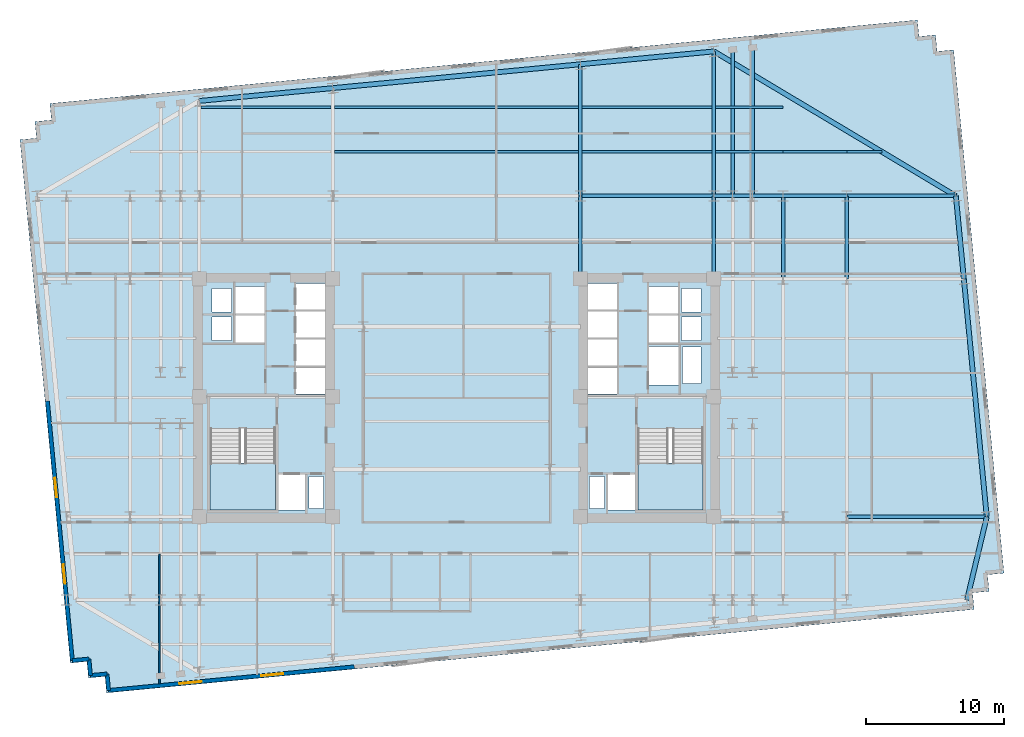
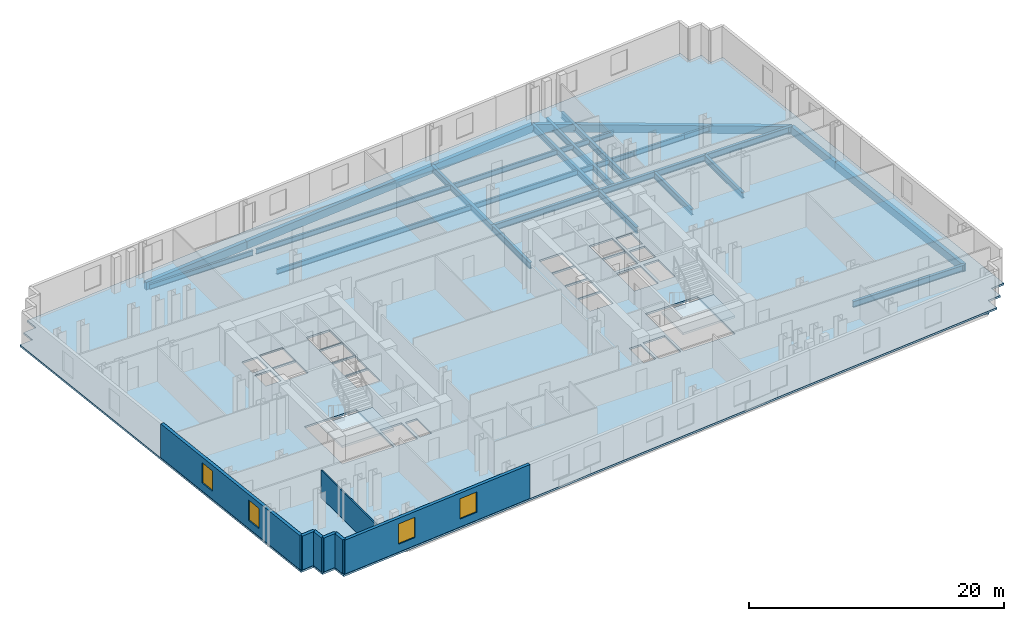
# One storey, part 3 of 10: 29 beams, 7 walls, 4 windows, 3 slabs, 4 openings, 2 elements without a shape of their own.
"""IFC4 building model written with IfcOpenShell, lengths in metres."""

from ifc_helpers import new_model, si_unit, direction, frame, frame_2d, origin, origin_2d, place, context, subcontext, project, spatial, polyline, rectangle, i_section, outline, extrude, material, layer, layer_set, material_profile, profile_set, type_object, element, fill, aggregate, save


model = new_model("IFC4")

# Units and contexts
model_context = context("Model", 3, precision=1e-05, world=origin(), true_north=direction((0.0, 1.0)))
body_context = subcontext(model_context, "Body", "Model", "MODEL_VIEW")
ifc_project = project(units=[si_unit("LENGTHUNIT", "METRE"), si_unit("AREAUNIT", "SQUARE_METRE"), si_unit("VOLUMEUNIT", "CUBIC_METRE"), si_unit("PLANEANGLEUNIT", "RADIAN"), si_unit("MASSUNIT", "GRAM", prefix="KILO")], contexts=[model_context])

# Site, building, storey
site_placement = place(None, origin())
site = spatial("IfcSite", under=ifc_project, at=site_placement, CompositionType="ELEMENT")
building_placement = place(site_placement, origin())
building = spatial("IfcBuilding", under=site, at=building_placement, Name="Velakula Bourse", CompositionType="ELEMENT")
storey_placement = place(building_placement, frame((0.0, 0.0, 98.35009765625)))
storey = spatial("IfcBuildingStorey", under=building, at=storey_placement, Name="L26", CompositionType="ELEMENT", Elevation=98.35009765625)

# Beams
ifc_material_1 = material(Name="Steel IS 2062 Grade 350 (E350)", Category="steel")
ifc_material_profile_1 = material_profile(ifc_material_1, i_section(OverallWidth=0.25, OverallDepth=0.60009765625, WebThickness=0.01171875, FlangeThickness=0.023681640625, at=origin_2d()), Name="Steel IS 2062 Grade 350 (E350)")
ifc_profile_set_1 = profile_set([ifc_material_profile_1], Name="Steel IS 2062 Grade 350 (E350)")
beam_type_1 = type_object("IfcBeamType", Name="BM-GRD-600H", PredefinedType="BEAM", material=ifc_profile_set_1)
for number, where, z_axis, x_axis, name in (
    (1, (8.949951171875, 8.60009765625, -0.47998046875), (0.0, 1.0, 0.0), (-1.0, 0.0, 0.0), "L26 Fulcrum Grid Girder FLC-ECN"),
    (2, (18.60009765625, 8.60009765625, -0.47998046875), (0.0, 1.0, 0.0), (-1.0, 0.0, 0.0), "L26 Fulcrum Grid Girder FLC-EN"),
):
    element("IfcBeam", number, at=place(storey_placement, frame(where, z_axis=z_axis, x_axis=x_axis)), inside=storey, type_object=beam_type_1, Name=name, PredefinedType="BEAM", context=body_context, shape_type="SweptSolid", body=[
        extrude(i_section(OverallWidth=0.25, OverallDepth=0.60009765625, WebThickness=0.01171875, FlangeThickness=0.023681640625, at=origin_2d()), origin(), (0.0, 0.0, 1.0), 6.0),
    ])
beam_1_placement = place(storey_placement, frame((8.949951171875, 14.60009765625, -0.47998046875), z_axis=(1.0, 0.0, 0.0), x_axis=(0.0, 1.0, 0.0)))
element("IfcBeam", 3, at=beam_1_placement, inside=storey, type_object=beam_type_1, Name="L26 Fulcrum Grid Girder FLC-N3", PredefinedType="BEAM", context=body_context, shape_type="SweptSolid", body=[
    extrude(i_section(OverallWidth=0.25, OverallDepth=0.60009765625, WebThickness=0.01171875, FlangeThickness=0.023681640625, at=origin_2d()), origin(), (0.0, 0.0, 1.0), 9.650146484375),
])
beam_2_placement = place(storey_placement, frame((18.60009765625, 14.60009765625, -0.47998046875), z_axis=(1.0, 0.0, 0.0), x_axis=(0.0, 1.0, 0.0)))
element("IfcBeam", 4, at=beam_2_placement, inside=storey, type_object=beam_type_1, Name="L26 Fulcrum Grid Girder MWG-EN2", PredefinedType="BEAM", context=body_context, shape_type="SweptSolid", body=[
    extrude(i_section(OverallWidth=0.25, OverallDepth=0.60009765625, WebThickness=0.01171875, FlangeThickness=0.023681640625, at=origin_2d()), origin(), (0.0, 0.0, 1.0), 5.0),
])
beam_3_placement = place(storey_placement, frame((23.60009765625, 8.60009765625, -0.47998046875), z_axis=(0.0, 1.0, 0.0), x_axis=(-1.0, 0.0, 0.0)))
element("IfcBeam", 5, at=beam_3_placement, inside=storey, type_object=beam_type_1, Name="L26 Fulcrum Grid Girder MWG-ENS3", PredefinedType="BEAM", context=body_context, shape_type="SweptSolid", body=[
    extrude(i_section(OverallWidth=0.25, OverallDepth=0.60009765625, WebThickness=0.01171875, FlangeThickness=0.023681640625, at=origin_2d()), origin(), (0.0, 0.0, 1.0), 6.0),
])
beam_4_placement = place(storey_placement, frame((23.60009765625, 14.60009765625, -0.47998046875), z_axis=(1.0, 0.0, 0.0), x_axis=(0.0, 1.0, 0.0)))
element("IfcBeam", 6, at=beam_4_placement, inside=storey, type_object=beam_type_1, Name="L26 Fulcrum Grid Girder WNG-EN2", PredefinedType="BEAM", context=body_context, shape_type="SweptSolid", body=[
    extrude(i_section(OverallWidth=0.25, OverallDepth=0.60009765625, WebThickness=0.01171875, FlangeThickness=0.023681640625, at=origin_2d()), origin(), (0.0, 0.0, 1.0), 4.599853515625),
])
beam_5_placement = place(storey_placement, frame((28.199951171875, 8.60009765625, -0.47998046875), z_axis=(0.0, 1.0, 0.0), x_axis=(-1.0, 0.0, 0.0)))
element("IfcBeam", 7, at=beam_5_placement, inside=storey, type_object=beam_type_1, Name="L26 Fulcrum Grid Girder WNG-ENS3", PredefinedType="BEAM", context=body_context, shape_type="SweptSolid", body=[
    extrude(i_section(OverallWidth=0.25, OverallDepth=0.60009765625, WebThickness=0.01171875, FlangeThickness=0.023681640625, at=origin_2d()), origin(), (0.0, 0.0, 1.0), 6.0),
])
beam_6_placement = place(storey_placement, frame((8.949951171875, 14.60009765625, -0.47998046875), z_axis=(0.0, 1.0, 0.0), x_axis=(-1.0, 0.0, 0.0)))
element("IfcBeam", 8, at=beam_6_placement, inside=storey, type_object=beam_type_1, Name="L26 Perimeter Tie Girder N3", PredefinedType="BEAM", context=body_context, shape_type="SweptSolid", body=[
    extrude(i_section(OverallWidth=0.25, OverallDepth=0.60009765625, WebThickness=0.01171875, FlangeThickness=0.023681640625, at=origin_2d()), origin(), (0.0, 0.0, 1.0), 9.521484375),
])
beam_7_placement = place(storey_placement, frame((18.60009765625, 14.60009765625, -0.47998046875), z_axis=(0.0, 1.0, 0.0), x_axis=(-1.0, 0.0, 0.0)))
element("IfcBeam", 9, at=beam_7_placement, inside=storey, type_object=beam_type_1, Name="L26 Perimeter Tie Girder N4", PredefinedType="BEAM", context=body_context, shape_type="SweptSolid", body=[
    extrude(i_section(OverallWidth=0.25, OverallDepth=0.60009765625, WebThickness=0.01171875, FlangeThickness=0.023681640625, at=origin_2d()), origin(), (0.0, 0.0, 1.0), 10.45068359375),
])
beam_8_placement = place(storey_placement, frame((28.199951171875, -8.60009765625, -0.47998046875), z_axis=(1.0, 0.0, 0.0), x_axis=(0.0, 1.0, 0.0)))
element("IfcBeam", 10, at=beam_8_placement, inside=storey, type_object=beam_type_1, Name="L26 Perimeter Tie Girder E2", PredefinedType="BEAM", context=body_context, shape_type="SweptSolid", body=[
    extrude(i_section(OverallWidth=0.25, OverallDepth=0.60009765625, WebThickness=0.01171875, FlangeThickness=0.023681640625, at=origin_2d()), origin(), (0.0, 0.0, 1.0), 10.119873046875),
])
beam_9_placement = place(storey_placement, frame((28.199951171875, 14.60009765625, -0.47998046875), z_axis=(1.0, 0.0, 0.0), x_axis=(0.0, 1.0, 0.0)))
element("IfcBeam", 11, at=beam_9_placement, inside=storey, type_object=beam_type_1, Name="L26 Perimeter Tie Girder E4", PredefinedType="BEAM", context=body_context, shape_type="SweptSolid", body=[
    extrude(i_section(OverallWidth=0.25, OverallDepth=0.60009765625, WebThickness=0.01171875, FlangeThickness=0.023681640625, at=origin_2d()), origin(), (0.0, 0.0, 1.0), 7.885986328125),
])
beam_10_placement = place(storey_placement, frame((19.949951171875, 14.60009765625, -0.47998046875), z_axis=(0.0, 1.0, 0.0), x_axis=(-1.0, 0.0, 0.0)))
element("IfcBeam", 12, at=beam_10_placement, inside=storey, type_object=beam_type_1, Name="L26 Perimeter Tie Girder P07", PredefinedType="BEAM", context=body_context, shape_type="SweptSolid", body=[
    extrude(i_section(OverallWidth=0.25, OverallDepth=0.60009765625, WebThickness=0.01171875, FlangeThickness=0.023681640625, at=origin_2d()), origin(), (0.0, 0.0, 1.0), 10.580810546875),
])
beam_11_placement = place(storey_placement, frame((21.39990234375, 14.60009765625, -0.47998046875), z_axis=(0.0, 1.0, 0.0), x_axis=(-1.0, 0.0, 0.0)))
element("IfcBeam", 13, at=beam_11_placement, inside=storey, type_object=beam_type_1, Name="L26 Perimeter Tie Girder P08", PredefinedType="BEAM", context=body_context, shape_type="SweptSolid", body=[
    extrude(i_section(OverallWidth=0.25, OverallDepth=0.60009765625, WebThickness=0.01171875, FlangeThickness=0.023681640625, at=origin_2d()), origin(), (0.0, 0.0, 1.0), 10.720458984375),
])
ifc_material_profile_2 = material_profile(ifc_material_1, i_section(OverallWidth=0.179931640625, OverallDepth=0.5, WebThickness=0.01025390625, FlangeThickness=0.01708984375, at=origin_2d()), Name="Steel IS 2062 Grade 350 (E350)")
ifc_profile_set_2 = profile_set([ifc_material_profile_2], Name="Steel IS 2062 Grade 350 (E350)")
beam_type_2 = type_object("IfcBeamType", Name="JST-TWR-500", PredefinedType="JOIST", material=ifc_profile_set_2)
beam_12_placement = place(storey_placement, frame((-8.824951171875, 17.800048828125, -0.43017578125), z_axis=(1.0, 0.0, 0.0), x_axis=(0.0, 1.0, 0.0)))
element("IfcBeam", 14, at=beam_12_placement, inside=storey, type_object=beam_type_2, Name="L26 Trading Floor Composite Joist 22", PredefinedType="JOIST", context=body_context, shape_type="SweptSolid", body=[
    extrude(i_section(OverallWidth=0.179931640625, OverallDepth=0.5, WebThickness=0.01025390625, FlangeThickness=0.01708984375, at=origin_2d()), origin(), (0.0, 0.0, 1.0), 17.64990234375),
])
beam_13_placement = place(storey_placement, frame((9.074951171875, 17.800048828125, -0.43017578125), z_axis=(1.0, 0.0, 0.0), x_axis=(0.0, 1.0, 0.0)))
element("IfcBeam", 15, at=beam_13_placement, inside=storey, type_object=beam_type_2, Name="L26 Trading Floor Composite Joist 23", PredefinedType="JOIST", context=body_context, shape_type="SweptSolid", body=[
    extrude(i_section(OverallWidth=0.179931640625, OverallDepth=0.5, WebThickness=0.01025390625, FlangeThickness=0.01708984375, at=origin_2d()), origin(), (0.0, 0.0, 1.0), 9.400146484375),
])
beam_14_placement = place(storey_placement, frame((18.72509765625, 17.800048828125, -0.43017578125), z_axis=(1.0, 0.0, 0.0), x_axis=(0.0, 1.0, 0.0)))
element("IfcBeam", 16, at=beam_14_placement, inside=storey, type_object=beam_type_2, Name="L26 Trading Floor Composite Joist 24", PredefinedType="JOIST", context=body_context, shape_type="SweptSolid", body=[
    extrude(i_section(OverallWidth=0.179931640625, OverallDepth=0.5, WebThickness=0.01025390625, FlangeThickness=0.01708984375, at=origin_2d()), origin(), (0.0, 0.0, 1.0), 4.875),
])
beam_15_placement = place(storey_placement, frame((23.60009765625, 17.800048828125, -0.43017578125), z_axis=(1.0, 0.0, 0.0), x_axis=(0.0, 1.0, 0.0)))
element("IfcBeam", 17, at=beam_15_placement, inside=storey, type_object=beam_type_2, Name="L26 Trading Floor Composite Joist 25", PredefinedType="JOIST", context=body_context, shape_type="SweptSolid", body=[
    extrude(i_section(OverallWidth=0.179931640625, OverallDepth=0.5, WebThickness=0.01025390625, FlangeThickness=0.01708984375, at=origin_2d()), origin(), (0.0, 0.0, 1.0), 4.599853515625),
])
beam_16_placement = place(storey_placement, frame((28.199951171875, 17.800048828125, -0.43017578125), z_axis=(1.0, 0.0, 0.0), x_axis=(0.0, 1.0, 0.0)))
element("IfcBeam", 18, at=beam_16_placement, inside=storey, type_object=beam_type_2, Name="L26 Trading Floor Composite Joist 26", PredefinedType="JOIST", context=body_context, shape_type="SweptSolid", body=[
    extrude(i_section(OverallWidth=0.179931640625, OverallDepth=0.5, WebThickness=0.01025390625, FlangeThickness=0.01708984375, at=origin_2d()), origin(), (0.0, 0.0, 1.0), 2.53173828125),
])
beam_17_placement = place(storey_placement, frame((-18.47509765625, 21.0, -0.43017578125), z_axis=(1.0, 0.0, 0.0), x_axis=(0.0, 1.0, 0.0)))
element("IfcBeam", 19, at=beam_17_placement, inside=storey, type_object=beam_type_2, Name="L26 Trading Floor Composite Joist 27", PredefinedType="JOIST", context=body_context, shape_type="SweptSolid", body=[
    extrude(i_section(OverallWidth=0.179931640625, OverallDepth=0.5, WebThickness=0.01025390625, FlangeThickness=0.01708984375, at=origin_2d()), origin(), (0.0, 0.0, 1.0), 9.400146484375),
])
beam_18_placement = place(storey_placement, frame((-8.824951171875, 21.0, -0.43017578125), z_axis=(1.0, 0.0, 0.0), x_axis=(0.0, 1.0, 0.0)))
element("IfcBeam", 20, at=beam_18_placement, inside=storey, type_object=beam_type_2, Name="L26 Trading Floor Composite Joist 28", PredefinedType="JOIST", context=body_context, shape_type="SweptSolid", body=[
    extrude(i_section(OverallWidth=0.179931640625, OverallDepth=0.5, WebThickness=0.01025390625, FlangeThickness=0.01708984375, at=origin_2d()), origin(), (0.0, 0.0, 1.0), 17.64990234375),
])
beam_19_placement = place(storey_placement, frame((9.074951171875, 21.0, -0.43017578125), z_axis=(1.0, 0.0, 0.0), x_axis=(0.0, 1.0, 0.0)))
element("IfcBeam", 21, at=beam_19_placement, inside=storey, type_object=beam_type_2, Name="L26 Trading Floor Composite Joist 29", PredefinedType="JOIST", context=body_context, shape_type="SweptSolid", body=[
    extrude(i_section(OverallWidth=0.179931640625, OverallDepth=0.5, WebThickness=0.01025390625, FlangeThickness=0.01708984375, at=origin_2d()), origin(), (0.0, 0.0, 1.0), 9.400146484375),
])
beam_20_placement = place(storey_placement, frame((18.72509765625, 21.0, -0.43017578125), z_axis=(1.0, 0.0, 0.0), x_axis=(0.0, 1.0, 0.0)))
element("IfcBeam", 22, at=beam_20_placement, inside=storey, type_object=beam_type_2, Name="L26 Trading Floor Composite Joist 30", PredefinedType="JOIST", context=body_context, shape_type="SweptSolid", body=[
    extrude(i_section(OverallWidth=0.179931640625, OverallDepth=0.5, WebThickness=0.01025390625, FlangeThickness=0.01708984375, at=origin_2d()), origin(), (0.0, 0.0, 1.0), 4.875),
])
ifc_material_2 = material(Name="Precast concrete M45 (fck 45 MPa)", Category="concrete")
ifc_material_profile_3 = material_profile(ifc_material_2, rectangle(XDim=0.35009765625, YDim=0.75, at=origin_2d()), Name="Precast concrete M45 (fck 45 MPa)")
ifc_profile_set_3 = profile_set([ifc_material_profile_3], Name="Precast concrete M45 (fck 45 MPa)")
beam_type_3 = type_object("IfcBeamType", Name="SPN-BRICK-750", PredefinedType="SPANDREL", material=ifc_profile_set_3)
beam_21_placement = place(storey_placement, frame((-18.60009765625, 21.468994140625, -0.55517578125), z_axis=(0.99539623971, 0.095845323155, 0.0), x_axis=(-0.095845323155, 0.99539623971, 0.0)))
element("IfcBeam", 23, at=beam_21_placement, inside=storey, type_object=beam_type_3, Name="L26 Brick-Faced Precast Spandrel N1-N2", PredefinedType="SPANDREL", context=body_context, shape_type="SweptSolid", body=[
    extrude(rectangle(XDim=0.35009765625, YDim=0.75, at=origin_2d()), origin(), (0.0, 0.0, 1.0), 9.69482421875),
])
beam_22_placement = place(storey_placement, frame((-8.949951171875, 22.398193359375, -0.55517578125), z_axis=(0.995397131467, 0.095836061418, 0.0), x_axis=(-0.095836061418, 0.995397131467, 0.0)))
element("IfcBeam", 24, at=beam_22_placement, inside=storey, type_object=beam_type_3, Name="L26 Brick-Faced Precast Spandrel N2-N3", PredefinedType="SPANDREL", context=body_context, shape_type="SweptSolid", body=[
    extrude(rectangle(XDim=0.35009765625, YDim=0.75, at=origin_2d()), origin(), (0.0, 0.0, 1.0), 17.982666015625),
])
beam_23_placement = place(storey_placement, frame((8.949951171875, 24.12158203125, -0.55517578125), z_axis=(0.99539623971, 0.095845323155, 0.0), x_axis=(-0.095845323155, 0.99539623971, 0.0)))
element("IfcBeam", 25, at=beam_23_placement, inside=storey, type_object=beam_type_3, Name="L26 Brick-Faced Precast Spandrel N3-N4", PredefinedType="SPANDREL", context=body_context, shape_type="SweptSolid", body=[
    extrude(rectangle(XDim=0.35009765625, YDim=0.75, at=origin_2d()), origin(), (0.0, 0.0, 1.0), 9.69482421875),
])
beam_24_placement = place(storey_placement, frame((36.88818359375, -14.60009765625, -0.55517578125), z_axis=(0.232091371601, 0.972693988482, 0.0), x_axis=(-0.972693988482, 0.232091371601, 0.0)))
element("IfcBeam", 26, at=beam_24_placement, inside=storey, type_object=beam_type_3, Name="L26 Brick-Faced Precast Spandrel E1-E2", PredefinedType="SPANDREL", context=body_context, shape_type="SweptSolid", body=[
    extrude(rectangle(XDim=0.35009765625, YDim=0.75, at=origin_2d()), origin(), (0.0, 0.0, 1.0), 6.16845703125),
])
beam_25_placement = place(storey_placement, frame((38.31982421875, -8.60009765625, -0.55517578125), z_axis=(-0.095849167925, 0.995395869495, 0.0), x_axis=(-0.995395869495, -0.095849167925, 0.0)))
element("IfcBeam", 27, at=beam_25_placement, inside=storey, type_object=beam_type_3, Name="L26 Brick-Faced Precast Spandrel E2-E3", PredefinedType="SPANDREL", context=body_context, shape_type="SweptSolid", body=[
    extrude(rectangle(XDim=0.35009765625, YDim=0.75, at=origin_2d()), origin(), (0.0, 0.0, 1.0), 17.27978515625),
])
beam_26_placement = place(storey_placement, frame((36.66357421875, 8.60009765625, -0.55517578125), z_axis=(-0.095829714309, 0.995397742541, 0.0), x_axis=(-0.995397742541, -0.095829714309, 0.0)))
element("IfcBeam", 28, at=beam_26_placement, inside=storey, type_object=beam_type_3, Name="L26 Brick-Faced Precast Spandrel E3-E4", PredefinedType="SPANDREL", context=body_context, shape_type="SweptSolid", body=[
    extrude(rectangle(XDim=0.35009765625, YDim=0.75, at=origin_2d()), origin(), (0.0, 0.0, 1.0), 6.02783203125),
])
beam_27_placement = place(storey_placement, frame((36.0859375, 14.60009765625, -0.55517578125), z_axis=(-0.858375715449, 0.513021569846, 0.0), x_axis=(-0.513021569846, -0.858375715449, 0.0)))
element("IfcBeam", 29, at=beam_27_placement, inside=storey, type_object=beam_type_3, Name="L26 Brick-Faced Precast Spandrel E4-N4", PredefinedType="SPANDREL", context=body_context, shape_type="SweptSolid", body=[
    extrude(rectangle(XDim=0.35009765625, YDim=0.75, at=origin_2d()), origin(), (0.0, 0.0, 1.0), 20.370849609375),
])

# Stair, slab
ifc_material_3 = material(Name="Concrete M45 (fck 45 MPa)", Category="concrete")
stair_type = type_object("IfcStairType", Name="STR-DOG-390", PredefinedType="HALF_TURN_STAIR", material=ifc_material_3)
stair_1_placement = place(storey_placement, origin())
stair_1 = element("IfcStair", 30, at=stair_1_placement, inside=storey, type_object=stair_type, Name="L26 West Core Exit Stair ST-W1", PredefinedType="HALF_TURN_STAIR")
ifc_layer_1 = layer(ifc_material_3, 0.199951171875, Name="Concrete M45 (fck 45 MPa)", Category="concrete")
ifc_layer_set_1 = layer_set([ifc_layer_1], Name="Concrete M45 (fck 45 MPa)")
slab_type_1 = type_object("IfcSlabType", Name="SLB-STAIR-LND-200", PredefinedType="LANDING", material=ifc_layer_set_1)
slab_1_placement = place(storey_placement, frame((0.0, 0.0, 1.52490234375)))
slab_1 = element("IfcSlab", 31, at=slab_1_placement, type_object=slab_type_1, Name="ST-W1 landing 1", PredefinedType="LANDING", context=body_context, shape_type="SweptSolid", body=[
    extrude(outline(polyline([(-17.820068359375, -4.719970703125), (-17.820068359375, -8.10009765625), (-13.10009765625, -8.10009765625), (-13.10009765625, -4.719970703125), (-17.820068359375, -4.719970703125)])), origin(), (0.0, 0.0, 1.0), 0.199951171875),
])
aggregate(stair_1, [slab_1])

stair_2_placement = place(storey_placement, origin())
stair_2 = element("IfcStair", 32, at=stair_2_placement, inside=storey, type_object=stair_type, Name="L26 East Core Exit Stair ST-E1", PredefinedType="HALF_TURN_STAIR")
slab_2_placement = place(storey_placement, frame((0.0, 0.0, 1.52490234375)))
slab_2 = element("IfcSlab", 33, at=slab_2_placement, type_object=slab_type_1, Name="ST-E1 landing 1", PredefinedType="LANDING", context=body_context, shape_type="SweptSolid", body=[
    extrude(outline(polyline([(13.10009765625, -4.719970703125), (13.10009765625, -8.10009765625), (17.820068359375, -8.10009765625), (17.820068359375, -4.719970703125), (13.10009765625, -4.719970703125)])), origin(), (0.0, 0.0, 1.0), 0.199951171875),
])
aggregate(stair_2, [slab_2])

# Slab
ifc_material_4 = material(Name="Concrete M50 (fck 50 MPa)", Category="concrete")
ifc_layer_2 = layer(ifc_material_4, 0.179931640625, Name="Concrete M50 (fck 50 MPa)", Category="concrete")
ifc_layer_set_2 = layer_set([ifc_layer_2], Name="Concrete M50 (fck 50 MPa)")
slab_type_2 = type_object("IfcSlabType", Name="SLB-TWR-180", PredefinedType="FLOOR", material=ifc_layer_set_2)
slab_3_placement = place(storey_placement, frame((0.0, 0.0, -0.18017578125)))
element("IfcSlab", 34, at=slab_3_placement, inside=storey, type_object=slab_type_2, Name="L26 Suspended Structural Floor Slab", PredefinedType="FLOOR", context=body_context, shape_type="SweptSolid", body=[
    extrude(outline(polyline([(-25.303955078125, -21.320556640625), (37.406005859375, -15.2822265625), (37.291015625, -14.087890625), (38.485595703125, -13.972900390625), (38.37060546875, -12.7783203125), (39.56494140625, -12.663330078125), (35.9228515625, 25.16162109375), (34.728271484375, 25.046630859375), (34.61328125, 26.2412109375), (33.4189453125, 26.126220703125), (33.303955078125, 27.320556640625), (-29.406005859375, 21.2822265625), (-29.291015625, 20.087890625), (-30.485595703125, 19.972900390625), (-30.37060546875, 18.7783203125), (-31.56494140625, 18.663330078125), (-27.9228515625, -19.16162109375), (-26.728271484375, -19.046630859375), (-26.61328125, -20.2412109375), (-25.4189453125, -20.126220703125), (-25.303955078125, -21.320556640625)]), holes=[polyline([(-17.820068359375, -8.10009765625), (-13.10009765625, -8.10009765625), (-13.10009765625, -2.199951171875), (-17.820068359375, -2.199951171875), (-17.820068359375, -8.10009765625)]), polyline([(13.10009765625, -8.10009765625), (17.820068359375, -8.10009765625), (17.820068359375, -2.199951171875), (13.10009765625, -2.199951171875), (13.10009765625, -8.10009765625)]), polyline([(-12.89990234375, -8.10009765625), (-10.949951171875, -8.10009765625), (-10.949951171875, -5.550048828125), (-12.89990234375, -5.550048828125), (-12.89990234375, -8.10009765625)]), polyline([(10.949951171875, -8.10009765625), (12.89990234375, -8.10009765625), (12.89990234375, -5.550048828125), (10.949951171875, -5.550048828125), (10.949951171875, -8.10009765625)]), polyline([(13.89990234375, 0.919921875), (16.050048828125, 0.919921875), (16.050048828125, 3.719970703125), (13.89990234375, 3.719970703125), (13.89990234375, 0.919921875)]), polyline([(-10.679931640625, -7.97998046875), (-9.6201171875, -7.97998046875), (-9.6201171875, -5.669921875), (-10.679931640625, -5.669921875), (-10.679931640625, -7.97998046875)]), polyline([(-17.679931640625, 4.139892578125), (-16.27001953125, 4.139892578125), (-16.27001953125, 5.85009765625), (-17.679931640625, 5.85009765625), (-17.679931640625, 4.139892578125)]), polyline([(-17.679931640625, 6.2099609375), (-16.27001953125, 6.2099609375), (-16.27001953125, 7.919921875), (-17.679931640625, 7.919921875), (-17.679931640625, 6.2099609375)]), polyline([(9.6201171875, -7.97998046875), (10.679931640625, -7.97998046875), (10.679931640625, -5.669921875), (9.6201171875, -5.669921875), (9.6201171875, -7.97998046875)]), polyline([(16.27001953125, 4.139892578125), (17.679931640625, 4.139892578125), (17.679931640625, 5.85009765625), (16.27001953125, 5.85009765625), (16.27001953125, 4.139892578125)]), polyline([(16.27001953125, 6.2099609375), (17.679931640625, 6.2099609375), (17.679931640625, 7.919921875), (16.27001953125, 7.919921875), (16.27001953125, 6.2099609375)]), polyline([(16.320068359375, 1.0400390625), (17.679931640625, 1.0400390625), (17.679931640625, 3.699951171875), (16.320068359375, 3.699951171875), (16.320068359375, 1.0400390625)]), polyline([(-11.60009765625, 0.280029296875), (-9.5, 0.280029296875), (-9.5, 2.199951171875), (-11.60009765625, 2.199951171875), (-11.60009765625, 0.280029296875)]), polyline([(-11.60009765625, 2.31005859375), (-9.5, 2.31005859375), (-9.5, 4.22998046875), (-11.60009765625, 4.22998046875), (-11.60009765625, 2.31005859375)]), polyline([(-11.60009765625, 4.340087890625), (-9.5, 4.340087890625), (-9.5, 6.260009765625), (-11.60009765625, 6.260009765625), (-11.60009765625, 4.340087890625)]), polyline([(-11.60009765625, 6.3701171875), (-9.5, 6.3701171875), (-9.5, 8.2900390625), (-11.60009765625, 8.2900390625), (-11.60009765625, 6.3701171875)]), polyline([(9.5, 0.280029296875), (11.60009765625, 0.280029296875), (11.60009765625, 2.199951171875), (9.5, 2.199951171875), (9.5, 0.280029296875)]), polyline([(9.5, 2.31005859375), (11.60009765625, 2.31005859375), (11.60009765625, 4.22998046875), (9.5, 4.22998046875), (9.5, 2.31005859375)]), polyline([(9.5, 4.340087890625), (11.60009765625, 4.340087890625), (11.60009765625, 6.260009765625), (9.5, 6.260009765625), (9.5, 4.340087890625)]), polyline([(9.5, 6.3701171875), (11.60009765625, 6.3701171875), (11.60009765625, 8.2900390625), (9.5, 8.2900390625), (9.5, 6.3701171875)]), polyline([(-16.0, 4.02001953125), (-13.89990234375, 4.02001953125), (-13.89990234375, 5.969970703125), (-16.0, 5.969970703125), (-16.0, 4.02001953125)]), polyline([(-16.0, 6.090087890625), (-13.89990234375, 6.090087890625), (-13.89990234375, 8.0400390625), (-16.0, 8.0400390625), (-16.0, 6.090087890625)]), polyline([(13.89990234375, 4.02001953125), (16.0, 4.02001953125), (16.0, 5.969970703125), (13.89990234375, 5.969970703125), (13.89990234375, 4.02001953125)]), polyline([(13.89990234375, 6.090087890625), (16.0, 6.090087890625), (16.0, 8.0400390625), (13.89990234375, 8.0400390625), (13.89990234375, 6.090087890625)])]), origin(), (0.0, 0.0, 1.0), 0.18017578125),
])

# Wall, openings, windows
ifc_material_5 = material(Name="Red kilned clay facing brick masonry", Category="masonry")
ifc_layer_3 = layer(ifc_material_5, 0.280029296875, Name="Red kilned clay facing brick masonry", Category="masonry")
ifc_layer_set_3 = layer_set([ifc_layer_3], Name="Red kilned clay facing brick masonry")
wall_type_1 = type_object("IfcWallType", Name="WL-EXT-BRK-280", PredefinedType="STANDARD", material=ifc_layer_set_3)
wall_1_placement = place(storey_placement, frame((-7.402099609375, -19.43603515625, 0.0), z_axis=(0.0, 0.0, 1.0), x_axis=(-0.995395780835, -0.095850088663, 0.0)))
wall_1 = element("IfcWall", 35, at=wall_1_placement, inside=storey, type_object=wall_type_1, Name="L26 S Brick Spandrel Wall B1", PredefinedType="STANDARD", context=body_context, shape_type="SweptSolid", body=[
    extrude(rectangle(XDim=17.83984375, YDim=0.280029296875, at=frame_2d((8.919921875, 0.0))), origin(), (0.0, 0.0, 1.0), 3.25),
])
opening_1_placement = place(wall_1_placement, frame((5.146728515625, 0.0, 0.760009765625)))
opening_1 = element("IfcOpeningElement", 36, at=opening_1_placement, cuts=wall_1, Name="Opening W-02", PredefinedType="OPENING", context=body_context, shape_type="SweptSolid", body=[
    extrude(rectangle(XDim=1.60009765625, YDim=1.949951171875, at=frame_2d((0.800048828125, 0.97509765625))), frame((0.0, 0.14990234375, 0.0), z_axis=(0.0, -1.0, 0.0), x_axis=(1.0, 0.0, 0.0)), (0.0, 0.0, 1.0), 0.300048828125),
])
opening_2_placement = place(wall_1_placement, frame((11.09326171875, 0.0, 0.760009765625)))
opening_2 = element("IfcOpeningElement", 37, at=opening_2_placement, cuts=wall_1, Name="Opening W-02", PredefinedType="OPENING", context=body_context, shape_type="SweptSolid", body=[
    extrude(rectangle(XDim=1.60009765625, YDim=1.949951171875, at=frame_2d((0.800048828125, 0.97509765625))), frame((0.0, 0.14990234375, 0.0), z_axis=(0.0, -1.0, 0.0), x_axis=(1.0, 0.0, 0.0)), (0.0, 0.0, 1.0), 0.300048828125),
])
ifc_material_6 = material(Name="Double-glazed solar-control Low-E glass", Category="glass")
window_type_1 = type_object("IfcWindowType", Name="WIN-TWR-1600x2100", PartitioningType="SINGLE_PANEL", PredefinedType="WINDOW", material=ifc_material_6)
window_1_placement = place(opening_1_placement, origin())
window_1 = element("IfcWindow", 38, at=window_1_placement, inside=storey, type_object=window_type_1, Name="L26 Deep-Set Recessed Window 1", OverallHeight=1.949951171875, OverallWidth=1.60009765625, PartitioningType="SINGLE_PANEL", PredefinedType="WINDOW", context=body_context, shape_type="SweptSolid", body=[
    extrude(rectangle(XDim=1.60009765625, YDim=1.949951171875, at=frame_2d((0.800048828125, 0.97509765625))), frame((0.0, 0.030029296875, 0.0), z_axis=(0.0, -1.0, 0.0), x_axis=(1.0, 0.0, 0.0)), (0.0, 0.0, 1.0), 0.06005859375),
])
fill(opening_1, window_1)
window_2_placement = place(opening_2_placement, origin())
window_2 = element("IfcWindow", 39, at=window_2_placement, inside=storey, type_object=window_type_1, Name="L26 Deep-Set Recessed Window 2", OverallHeight=1.949951171875, OverallWidth=1.60009765625, PartitioningType="SINGLE_PANEL", PredefinedType="WINDOW", context=body_context, shape_type="SweptSolid", body=[
    extrude(rectangle(XDim=1.60009765625, YDim=1.949951171875, at=frame_2d((0.800048828125, 0.97509765625))), frame((0.0, 0.030029296875, 0.0), z_axis=(0.0, -1.0, 0.0), x_axis=(1.0, 0.0, 0.0)), (0.0, 0.0, 1.0), 0.06005859375),
])
fill(opening_2, window_2)

wall_2_placement = place(storey_placement, frame((-27.779052734375, -18.987060546875, 0.0), z_axis=(0.0, 0.0, 1.0), x_axis=(-0.095842534142, 0.995396508256, 0.0)))
wall_2 = element("IfcWall", 40, at=wall_2_placement, inside=storey, type_object=wall_type_1, Name="L26 W Brick End Wall W1", PredefinedType="STANDARD", context=body_context, shape_type="SweptSolid", body=[
    extrude(rectangle(XDim=18.83984375, YDim=0.280029296875, at=frame_2d((9.419921875, 0.0))), origin(), (0.0, 0.0, 1.0), 3.25),
])
opening_3_placement = place(wall_2_placement, frame((5.580078125, 0.0, 0.760009765625)))
opening_3 = element("IfcOpeningElement", 41, at=opening_3_placement, cuts=wall_2, Name="Opening W-03", PredefinedType="OPENING", context=body_context, shape_type="SweptSolid", body=[
    extrude(rectangle(XDim=1.39990234375, YDim=1.949951171875, at=frame_2d((0.699951171875, 0.97509765625))), frame((0.0, 0.14990234375, 0.0), z_axis=(0.0, -1.0, 0.0), x_axis=(1.0, 0.0, 0.0)), (0.0, 0.0, 1.0), 0.300048828125),
])
opening_4_placement = place(wall_2_placement, frame((11.860107421875, 0.0, 0.760009765625)))
opening_4 = element("IfcOpeningElement", 42, at=opening_4_placement, cuts=wall_2, Name="Opening W-03", PredefinedType="OPENING", context=body_context, shape_type="SweptSolid", body=[
    extrude(rectangle(XDim=1.39990234375, YDim=1.949951171875, at=frame_2d((0.699951171875, 0.97509765625))), frame((0.0, 0.14990234375, 0.0), z_axis=(0.0, -1.0, 0.0), x_axis=(1.0, 0.0, 0.0)), (0.0, 0.0, 1.0), 0.300048828125),
])
window_type_2 = type_object("IfcWindowType", Name="WIN-TWR-1400x2100", PartitioningType="SINGLE_PANEL", PredefinedType="WINDOW", material=ifc_material_6)
window_3_placement = place(opening_3_placement, origin())
window_3 = element("IfcWindow", 43, at=window_3_placement, inside=storey, type_object=window_type_2, Name="L26 Deep-Set Recessed Window 1", OverallHeight=1.949951171875, OverallWidth=1.39990234375, PartitioningType="SINGLE_PANEL", PredefinedType="WINDOW", context=body_context, shape_type="SweptSolid", body=[
    extrude(rectangle(XDim=1.39990234375, YDim=1.949951171875, at=frame_2d((0.699951171875, 0.97509765625))), frame((0.0, 0.030029296875, 0.0), z_axis=(0.0, -1.0, 0.0), x_axis=(1.0, 0.0, 0.0)), (0.0, 0.0, 1.0), 0.06005859375),
])
fill(opening_3, window_3)
window_4_placement = place(opening_4_placement, origin())
window_4 = element("IfcWindow", 44, at=window_4_placement, inside=storey, type_object=window_type_2, Name="L26 Deep-Set Recessed Window 2", OverallHeight=1.949951171875, OverallWidth=1.39990234375, PartitioningType="SINGLE_PANEL", PredefinedType="WINDOW", context=body_context, shape_type="SweptSolid", body=[
    extrude(rectangle(XDim=1.39990234375, YDim=1.949951171875, at=frame_2d((0.699951171875, 0.97509765625))), frame((0.0, 0.030029296875, 0.0), z_axis=(0.0, -1.0, 0.0), x_axis=(1.0, 0.0, 0.0)), (0.0, 0.0, 1.0), 0.06005859375),
])
fill(opening_4, window_4)

# Walls
for number, where, z_axis, x_axis, name in (
    (45, (-27.779052734375, -18.987060546875, 0.0), (0.0, 0.0, 1.0), (0.995398960025, 0.095817067274, 0.0), "L26 Serrated Corner Brick Wall SW-1"),
    (46, (-26.58447265625, -18.8720703125, 0.0), (0.0, 0.0, 1.0), (0.095817067274, -0.995398960025, 0.0), "L26 Serrated Corner Brick Wall SW-2"),
    (47, (-26.469482421875, -20.066650390625, 0.0), (0.0, 0.0, 1.0), (0.995398960025, 0.095817067274, 0.0), "L26 Serrated Corner Brick Wall SW-3"),
):
    element("IfcWall", number, at=place(storey_placement, frame(where, z_axis=z_axis, x_axis=x_axis)), inside=storey, type_object=wall_type_1, Name=name, PredefinedType="STANDARD", context=body_context, shape_type="SweptSolid", body=[
        extrude(rectangle(XDim=1.2001953125, YDim=0.280029296875, at=frame_2d((0.60009765625, 0.0))), origin(), (0.0, 0.0, 1.0), 3.25),
    ])
wall_3_placement = place(storey_placement, frame((-25.27490234375, -19.95166015625, 0.0), z_axis=(0.0, 0.0, 1.0), x_axis=(0.095836473879, -0.995397091755, 0.0)))
element("IfcWall", 48, at=wall_3_placement, inside=storey, type_object=wall_type_1, Name="L26 Serrated Corner Brick Wall SW-4", PredefinedType="STANDARD", context=body_context, shape_type="SweptSolid", body=[
    extrude(rectangle(XDim=1.199951171875, YDim=0.280029296875, at=frame_2d((0.60009765625, 0.0))), origin(), (0.0, 0.0, 1.0), 3.25),
])
ifc_material_7 = material(Name="Fire-rated double-layer gypsum drywall partition", Category="gypsum")
ifc_layer_4 = layer(ifc_material_7, 0.1201171875, Name="Fire-rated double-layer gypsum drywall partition", Category="gypsum")
ifc_layer_set_4 = layer_set([ifc_layer_4], Name="Fire-rated double-layer gypsum drywall partition")
wall_type_2 = type_object("IfcWallType", Name="WL-PART-120", PredefinedType="STANDARD", material=ifc_layer_set_4)
wall_4_placement = place(storey_placement, frame((-21.491943359375, -20.67236328125, 0.0), z_axis=(0.0, 0.0, 1.0), x_axis=(0.0, 1.0, 0.0)))
element("IfcWall", 49, at=wall_4_placement, inside=storey, type_object=wall_type_2, Name="L26 Interior Partition WL-INT-L26-SL-D5", PredefinedType="STANDARD", context=body_context, shape_type="SweptSolid", body=[
    extrude(rectangle(XDim=9.38232421875, YDim=0.1201171875, at=frame_2d((4.691162109375, 0.0))), origin(), (0.0, 0.0, 1.0), 2.64501953125),
])

save(model, "model.ifc")
